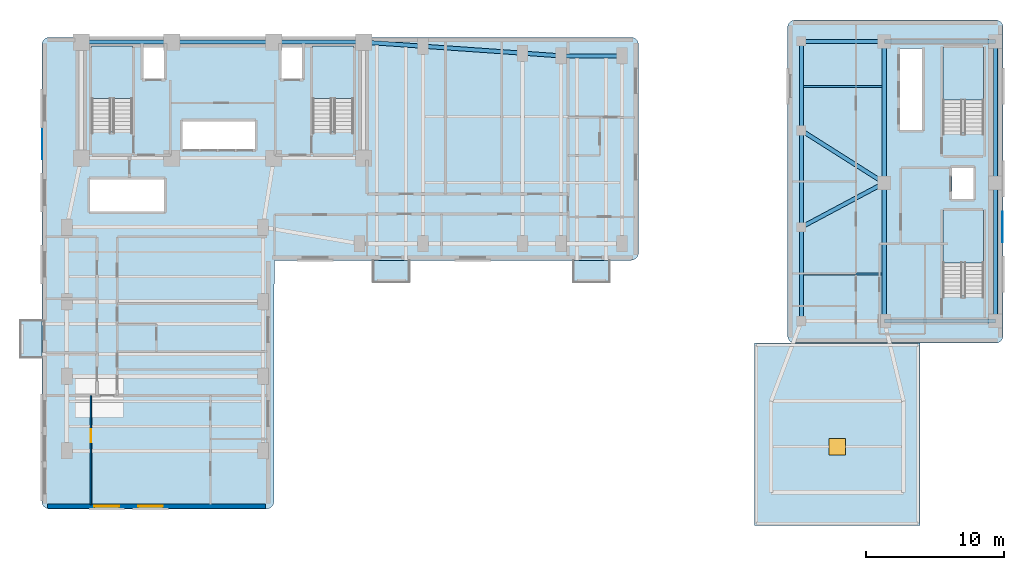
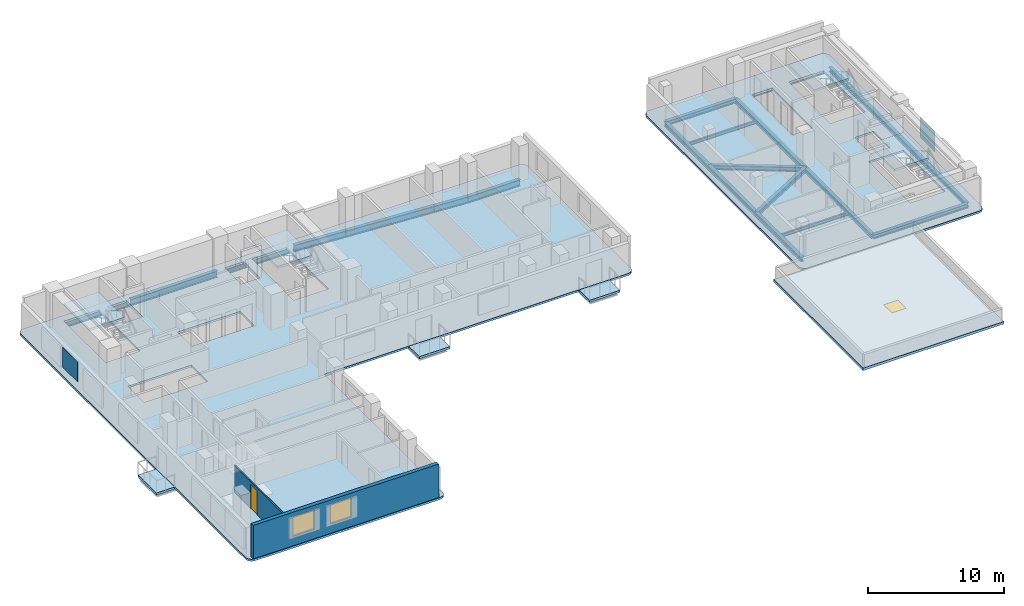
# One storey, part 2 of 11: 21 beams, 10 slabs, 3 windows, 2 plates, 2 walls, 1 door, 4 openings, 4 elements without a shape of their own.
"""IFC4 building model written with IfcOpenShell, lengths in metres."""

from ifc_helpers import new_model, si_unit, direction, frame, frame_2d, origin, origin_2d, place, context, subcontext, project, spatial, polyline, rectangle, i_section, outline, extrude, material, layer, layer_set, material_profile, profile_set, type_object, element, fill, aggregate, save


model = new_model("IFC4")

# Units and contexts
model_context = context("Model", 3, precision=1e-05, world=origin(), true_north=direction((0.0, 1.0)))
body_context = subcontext(model_context, "Body", "Model", "MODEL_VIEW")
ifc_project = project(units=[si_unit("LENGTHUNIT", "METRE"), si_unit("AREAUNIT", "SQUARE_METRE"), si_unit("VOLUMEUNIT", "CUBIC_METRE"), si_unit("PLANEANGLEUNIT", "RADIAN"), si_unit("MASSUNIT", "GRAM", prefix="KILO")], contexts=[model_context])

# Site, building, storey
site_placement = place(None, origin())
site = spatial("IfcSite", under=ifc_project, at=site_placement, CompositionType="ELEMENT")
building_placement = place(site_placement, origin())
building = spatial("IfcBuilding", under=site, at=building_placement, Name="Kuzgunbayir Cultural Tower", CompositionType="ELEMENT")
storey_placement = place(building_placement, frame((0.0, 0.0, 86.60009765625)))
storey = spatial("IfcBuildingStorey", under=building, at=storey_placement, Name="L24", CompositionType="ELEMENT", Elevation=86.60009765625)

# Beams
ifc_material_1 = material(Name="Steel S355J2", Category="steel")
ifc_material_profile_1 = material_profile(ifc_material_1, i_section(OverallWidth=0.300048828125, OverallDepth=0.39990234375, WebThickness=0.013427734375, FlangeThickness=0.02392578125, FilletRadius=0.027099609375, at=origin_2d()), Name="HEB 400")
ifc_profile_set_1 = profile_set([ifc_material_profile_1], Name="Steel S355J2")
beam_type_1 = type_object("IfcBeamType", Name="BM-EXT-HEB400", PredefinedType="BEAM", material=ifc_profile_set_1)
beam_1_placement = place(storey_placement, frame((58.60009765625, 22.0, -0.380126953125), z_axis=(0.0, 1.0, 0.0), x_axis=(-1.0, 0.0, 0.0)))
element("IfcBeam", 1, at=beam_1_placement, inside=storey, type_object=beam_type_1, Name="L24 Companion West Girder", PredefinedType="BEAM", context=body_context, shape_type="SweptSolid", body=[
    extrude(i_section(OverallWidth=0.300048828125, OverallDepth=0.39990234375, WebThickness=0.013427734375, FlangeThickness=0.02392578125, FilletRadius=0.027099609375, at=origin_2d()), origin(), (0.0, 0.0, 1.0), 6.800048828125),
])
beam_2_placement = place(storey_placement, frame((58.60009765625, 28.800048828125, -0.380126953125), z_axis=(0.0, 1.0, 0.0), x_axis=(-1.0, 0.0, 0.0)))
element("IfcBeam", 2, at=beam_2_placement, inside=storey, type_object=beam_type_1, Name="L24 Companion West Girder", PredefinedType="BEAM", context=body_context, shape_type="SweptSolid", body=[
    extrude(i_section(OverallWidth=0.300048828125, OverallDepth=0.39990234375, WebThickness=0.013427734375, FlangeThickness=0.02392578125, FilletRadius=0.027099609375, at=origin_2d()), origin(), (0.0, 0.0, 1.0), 7.0),
])
beam_3_placement = place(storey_placement, frame((58.60009765625, 35.800048828125, -0.380126953125), z_axis=(0.0, 1.0, 0.0), x_axis=(-1.0, 0.0, 0.0)))
element("IfcBeam", 3, at=beam_3_placement, inside=storey, type_object=beam_type_1, Name="L24 Companion West Girder", PredefinedType="BEAM", context=body_context, shape_type="SweptSolid", body=[
    extrude(i_section(OverallWidth=0.300048828125, OverallDepth=0.39990234375, WebThickness=0.013427734375, FlangeThickness=0.02392578125, FilletRadius=0.027099609375, at=origin_2d()), origin(), (0.0, 0.0, 1.0), 6.449951171875),
])
ifc_material_profile_2 = material_profile(ifc_material_1, i_section(OverallWidth=0.300048828125, OverallDepth=0.60009765625, WebThickness=0.015380859375, FlangeThickness=0.030029296875, FilletRadius=0.027099609375, at=origin_2d()), Name="HEB 600")
ifc_profile_set_2 = profile_set([ifc_material_profile_2], Name="Steel S355J2")
beam_type_2 = type_object("IfcBeamType", Name="BM-EXT-HEB600", PredefinedType="BEAM", material=ifc_profile_set_2)
beam_4_placement = place(storey_placement, frame((26.89990234375, 42.199951171875, -0.47998046875), z_axis=(0.997574369175, -0.069608749203, 0.0), x_axis=(0.069608749203, 0.997574369175, 0.0)))
element("IfcBeam", 4, at=beam_4_placement, inside=storey, type_object=beam_type_2, Name="L24 Wing B North Girder 1", PredefinedType="BEAM", context=body_context, shape_type="SweptSolid", body=[
    extrude(i_section(OverallWidth=0.300048828125, OverallDepth=0.60009765625, WebThickness=0.015380859375, FlangeThickness=0.030029296875, FilletRadius=0.027099609375, at=origin_2d()), origin(), (0.0, 0.0, 1.0), 4.310546875),
])
beam_5_placement = place(storey_placement, frame((31.199951171875, 41.89990234375, -0.47998046875), z_axis=(0.997597388498, -0.069278066245, 0.0), x_axis=(0.069278066245, 0.997597388498, 0.0)))
element("IfcBeam", 5, at=beam_5_placement, inside=storey, type_object=beam_type_2, Name="L24 Wing B North Girder 2", PredefinedType="BEAM", context=body_context, shape_type="SweptSolid", body=[
    extrude(i_section(OverallWidth=0.300048828125, OverallDepth=0.60009765625, WebThickness=0.015380859375, FlangeThickness=0.030029296875, FilletRadius=0.027099609375, at=origin_2d()), origin(), (0.0, 0.0, 1.0), 7.21728515625),
])
beam_6_placement = place(storey_placement, frame((38.39990234375, 41.39990234375, -0.47998046875), z_axis=(0.997460024076, -0.071228508128, 0.0), x_axis=(0.071228508128, 0.997460024076, 0.0)))
element("IfcBeam", 6, at=beam_6_placement, inside=storey, type_object=beam_type_2, Name="L24 Wing B North Girder 3", PredefinedType="BEAM", context=body_context, shape_type="SweptSolid", body=[
    extrude(i_section(OverallWidth=0.300048828125, OverallDepth=0.60009765625, WebThickness=0.015380859375, FlangeThickness=0.030029296875, FilletRadius=0.027099609375, at=origin_2d()), origin(), (0.0, 0.0, 1.0), 2.80712890625),
])
beam_7_placement = place(storey_placement, frame((41.199951171875, 41.199951171875, -0.47998046875), z_axis=(1.0, 0.0, 0.0), x_axis=(0.0, 1.0, 0.0)))
element("IfcBeam", 7, at=beam_7_placement, inside=storey, type_object=beam_type_2, Name="L24 Wing B North Girder 4", PredefinedType="BEAM", context=body_context, shape_type="SweptSolid", body=[
    extrude(i_section(OverallWidth=0.300048828125, OverallDepth=0.60009765625, WebThickness=0.015380859375, FlangeThickness=0.030029296875, FilletRadius=0.027099609375, at=origin_2d()), origin(), (0.0, 0.0, 1.0), 4.400146484375),
])
ifc_material_profile_3 = material_profile(ifc_material_1, i_section(OverallWidth=0.300048828125, OverallDepth=0.39990234375, WebThickness=0.013427734375, FlangeThickness=0.02392578125, FilletRadius=0.027099609375, at=origin_2d()), Name="HEB 400")
ifc_profile_set_3 = profile_set([ifc_material_profile_3], Name="Steel S355J2")
beam_type_3 = type_object("IfcBeamType", Name="BM-GIR-HEB400", PredefinedType="BEAM", material=ifc_profile_set_3)
beam_8_placement = place(storey_placement, frame((58.60009765625, 28.800048828125, -0.380126953125), z_axis=(0.882355922736, 0.470582644828, 0.0), x_axis=(-0.470582644828, 0.882355922736, 0.0)))
element("IfcBeam", 8, at=beam_8_placement, inside=storey, type_object=beam_type_3, Name="L24 Companion Transverse Girder 2", PredefinedType="BEAM", context=body_context, shape_type="SweptSolid", body=[
    extrude(i_section(OverallWidth=0.300048828125, OverallDepth=0.39990234375, WebThickness=0.013427734375, FlangeThickness=0.02392578125, FilletRadius=0.027099609375, at=origin_2d()), origin(), (0.0, 0.0, 1.0), 6.800048828125),
])
beam_9_placement = place(storey_placement, frame((58.60009765625, 35.800048828125, -0.380126953125), z_axis=(0.844815967829, -0.535056988088, 0.0), x_axis=(0.535056988088, 0.844815967829, 0.0)))
element("IfcBeam", 9, at=beam_9_placement, inside=storey, type_object=beam_type_3, Name="L24 Companion Transverse Girder 3", PredefinedType="BEAM", context=body_context, shape_type="SweptSolid", body=[
    extrude(i_section(OverallWidth=0.300048828125, OverallDepth=0.39990234375, WebThickness=0.013427734375, FlangeThickness=0.02392578125, FilletRadius=0.027099609375, at=origin_2d()), origin(), (0.0, 0.0, 1.0), 7.10205078125),
])
beam_10_placement = place(storey_placement, frame((58.60009765625, 42.25, -0.380126953125), z_axis=(1.0, 0.0, 0.0), x_axis=(0.0, 1.0, 0.0)))
element("IfcBeam", 10, at=beam_10_placement, inside=storey, type_object=beam_type_3, Name="L24 Companion Transverse Girder 4", PredefinedType="BEAM", context=body_context, shape_type="SweptSolid", body=[
    extrude(i_section(OverallWidth=0.300048828125, OverallDepth=0.39990234375, WebThickness=0.013427734375, FlangeThickness=0.02392578125, FilletRadius=0.027099609375, at=origin_2d()), origin(), (0.0, 0.0, 1.0), 6.0),
])
beam_11_placement = place(storey_placement, frame((64.60009765625, 22.0, -0.380126953125), z_axis=(0.0, 1.0, 0.0), x_axis=(-1.0, 0.0, 0.0)))
element("IfcBeam", 11, at=beam_11_placement, inside=storey, type_object=beam_type_3, Name="L24 Companion Core West Girder 1", PredefinedType="BEAM", context=body_context, shape_type="SweptSolid", body=[
    extrude(i_section(OverallWidth=0.300048828125, OverallDepth=0.39990234375, WebThickness=0.013427734375, FlangeThickness=0.02392578125, FilletRadius=0.027099609375, at=origin_2d()), origin(), (0.0, 0.0, 1.0), 10.0),
])
beam_12_placement = place(storey_placement, frame((64.60009765625, 32.0, -0.380126953125), z_axis=(0.0, 1.0, 0.0), x_axis=(-1.0, 0.0, 0.0)))
element("IfcBeam", 12, at=beam_12_placement, inside=storey, type_object=beam_type_3, Name="L24 Companion Core West Girder 2", PredefinedType="BEAM", context=body_context, shape_type="SweptSolid", body=[
    extrude(i_section(OverallWidth=0.300048828125, OverallDepth=0.39990234375, WebThickness=0.013427734375, FlangeThickness=0.02392578125, FilletRadius=0.027099609375, at=origin_2d()), origin(), (0.0, 0.0, 1.0), 10.25),
])
beam_13_placement = place(storey_placement, frame((72.64990234375, 22.0, -0.380126953125), z_axis=(0.0, 1.0, 0.0), x_axis=(-1.0, 0.0, 0.0)))
element("IfcBeam", 13, at=beam_13_placement, inside=storey, type_object=beam_type_3, Name="L24 Companion Core East Girder 1", PredefinedType="BEAM", context=body_context, shape_type="SweptSolid", body=[
    extrude(i_section(OverallWidth=0.300048828125, OverallDepth=0.39990234375, WebThickness=0.013427734375, FlangeThickness=0.02392578125, FilletRadius=0.027099609375, at=origin_2d()), origin(), (0.0, 0.0, 1.0), 10.0),
])
beam_14_placement = place(storey_placement, frame((72.64990234375, 32.0, -0.380126953125), z_axis=(0.0, 1.0, 0.0), x_axis=(-1.0, 0.0, 0.0)))
element("IfcBeam", 14, at=beam_14_placement, inside=storey, type_object=beam_type_3, Name="L24 Companion Core East Girder 2", PredefinedType="BEAM", context=body_context, shape_type="SweptSolid", body=[
    extrude(i_section(OverallWidth=0.300048828125, OverallDepth=0.39990234375, WebThickness=0.013427734375, FlangeThickness=0.02392578125, FilletRadius=0.027099609375, at=origin_2d()), origin(), (0.0, 0.0, 1.0), 10.25),
])
for number, where, z_axis, x_axis, name in (
    (15, (64.60009765625, 22.0, -0.380126953125), (1.0, 0.0, 0.0), (0.0, 1.0, 0.0), "L24 Companion Core South Girder"),
    (16, (64.60009765625, 42.25, -0.380126953125), (1.0, 0.0, 0.0), (0.0, 1.0, 0.0), "L24 Companion Core North Girder"),
):
    element("IfcBeam", number, at=place(storey_placement, frame(where, z_axis=z_axis, x_axis=x_axis)), inside=storey, type_object=beam_type_3, Name=name, PredefinedType="BEAM", context=body_context, shape_type="SweptSolid", body=[
        extrude(i_section(OverallWidth=0.300048828125, OverallDepth=0.39990234375, WebThickness=0.013427734375, FlangeThickness=0.02392578125, FilletRadius=0.027099609375, at=origin_2d()), origin(), (0.0, 0.0, 1.0), 8.0498046875),
    ])
ifc_material_profile_4 = material_profile(ifc_material_1, i_section(OverallWidth=0.300048828125, OverallDepth=0.60009765625, WebThickness=0.015380859375, FlangeThickness=0.030029296875, FilletRadius=0.027099609375, at=origin_2d()), Name="HEB 600")
ifc_profile_set_4 = profile_set([ifc_material_profile_4], Name="Steel S355J2")
beam_type_4 = type_object("IfcBeamType", Name="BM-GIR-HEB600", PredefinedType="BEAM", material=ifc_profile_set_4)
beam_15_placement = place(storey_placement, frame((6.449951171875, 42.199951171875, -0.47998046875), z_axis=(1.0, 0.0, 0.0), x_axis=(0.0, 1.0, 0.0)))
element("IfcBeam", 17, at=beam_15_placement, inside=storey, type_object=beam_type_4, Name="L24 Core North Girder 1", PredefinedType="BEAM", context=body_context, shape_type="SweptSolid", body=[
    extrude(i_section(OverallWidth=0.300048828125, OverallDepth=0.60009765625, WebThickness=0.015380859375, FlangeThickness=0.030029296875, FilletRadius=0.027099609375, at=origin_2d()), origin(), (0.0, 0.0, 1.0), 6.550048828125),
])
beam_16_placement = place(storey_placement, frame((13.0, 42.199951171875, -0.47998046875), z_axis=(1.0, 0.0, 0.0), x_axis=(0.0, 1.0, 0.0)))
element("IfcBeam", 18, at=beam_16_placement, inside=storey, type_object=beam_type_4, Name="L24 Core North Girder 2", PredefinedType="BEAM", context=body_context, shape_type="SweptSolid", body=[
    extrude(i_section(OverallWidth=0.300048828125, OverallDepth=0.60009765625, WebThickness=0.015380859375, FlangeThickness=0.030029296875, FilletRadius=0.027099609375, at=origin_2d()), origin(), (0.0, 0.0, 1.0), 7.39990234375),
])
beam_17_placement = place(storey_placement, frame((20.39990234375, 42.199951171875, -0.47998046875), z_axis=(1.0, 0.0, 0.0), x_axis=(0.0, 1.0, 0.0)))
element("IfcBeam", 19, at=beam_17_placement, inside=storey, type_object=beam_type_4, Name="L24 Core North Girder 3", PredefinedType="BEAM", context=body_context, shape_type="SweptSolid", body=[
    extrude(i_section(OverallWidth=0.300048828125, OverallDepth=0.60009765625, WebThickness=0.015380859375, FlangeThickness=0.030029296875, FilletRadius=0.027099609375, at=origin_2d()), origin(), (0.0, 0.0, 1.0), 6.5),
])
ifc_material_profile_5 = material_profile(ifc_material_1, i_section(OverallWidth=0.14990234375, OverallDepth=0.300048828125, WebThickness=0.007080078125, FlangeThickness=0.0107421875, FilletRadius=0.014892578125, at=origin_2d()), Name="IPE 300")
ifc_profile_set_5 = profile_set([ifc_material_profile_5], Name="Steel S355J2")
beam_type_5 = type_object("IfcBeamType", Name="BM-JST-IPE300", PredefinedType="JOIST", material=ifc_profile_set_5)
for number, where, z_axis, x_axis, name in (
    (20, (58.75, 25.39990234375, -0.330078125), (1.0, 0.0, 0.0), (0.0, 1.0, 0.0), "L24 Companion Joist"),
    (21, (58.75, 39.0, -0.330078125), (1.0, 0.0, 0.0), (0.0, 1.0, 0.0), "L24 Companion Joist"),
):
    element("IfcBeam", number, at=place(storey_placement, frame(where, z_axis=z_axis, x_axis=x_axis)), inside=storey, type_object=beam_type_5, Name=name, PredefinedType="JOIST", context=body_context, shape_type="SweptSolid", body=[
        extrude(i_section(OverallWidth=0.14990234375, OverallDepth=0.300048828125, WebThickness=0.007080078125, FlangeThickness=0.0107421875, FilletRadius=0.014892578125, at=origin_2d()), origin(), (0.0, 0.0, 1.0), 5.699951171875),
    ])

# Plates
ifc_material_2 = material(Name="Perforated Bronze-Anodised Aluminium", Category="aluminium")
ifc_layer_1 = layer(ifc_material_2, 0.02392578125)
ifc_layer_set_1 = layer_set([ifc_layer_1], Name="Perforated Bronze-Anodised Aluminium")
plate_type = type_object("IfcPlateType", Name="PLT-SOLAR-SCREEN-14", PredefinedType="SHEET", material=ifc_layer_set_1)
for number, where, z_axis, x_axis, name in (
    (22, (3.6298828125, 34.800048828125, 0.75), (0.0, 0.0, 1.0), (1.0, 0.0, 0.0), "L24 Tower 1 Perforated Ceramic Solar Screen Panel"),
    (23, (73.159912109375, 28.800048828125, 0.75), (0.0, 0.0, 1.0), (1.0, 0.0, 0.0), "L24 Companion Perforated Ceramic Solar Screen Panel"),
):
    element("IfcPlate", number, at=place(storey_placement, frame(where, z_axis=z_axis, x_axis=x_axis)), inside=storey, type_object=plate_type, Name=name, PredefinedType="SHEET", context=body_context, shape_type="SweptSolid", body=[
        extrude(rectangle(XDim=0.02392578125, YDim=2.199951171875, at=origin_2d()), origin(), (0.0, 0.0, 1.0), 1.800048828125),
    ])

# Slabs
ifc_material_3 = material(Name="Concrete C40/50", Category="concrete")
ifc_layer_2 = layer(ifc_material_3, 0.199951171875)
ifc_layer_set_2 = layer_set([ifc_layer_2], Name="Concrete C40/50")
slab_type_1 = type_object("IfcSlabType", Name="SLB-BAL-STONE", PredefinedType="FLOOR", material=ifc_layer_set_2)
slab_1_placement = place(storey_placement, frame((0.0, 0.0, -0.2001953125)))
element("IfcSlab", 24, at=slab_1_placement, inside=storey, type_object=slab_type_1, Name="L24 Projecting Limestone Balcony BAL-L24-WA2", PredefinedType="FLOOR", context=body_context, shape_type="SweptSolid", body=[
    extrude(outline(polyline([(2.0400390625, 19.35009765625), (3.60009765625, 19.35009765625), (3.60009765625, 22.050048828125), (2.0400390625, 22.050048828125), (2.0400390625, 19.35009765625)])), origin(), (0.0, 0.0, 1.0), 0.2001953125),
])
slab_2_placement = place(storey_placement, frame((0.0, 0.0, -0.2001953125)))
element("IfcSlab", 25, at=slab_2_placement, inside=storey, type_object=slab_type_1, Name="L24 Projecting Limestone Balcony BAL-L24-WB1", PredefinedType="FLOOR", context=body_context, shape_type="SweptSolid", body=[
    extrude(outline(polyline([(27.60009765625, 24.840087890625), (30.199951171875, 24.840087890625), (30.199951171875, 26.39990234375), (27.60009765625, 26.39990234375), (27.60009765625, 24.840087890625)])), origin(), (0.0, 0.0, 1.0), 0.2001953125),
])
slab_3_placement = place(storey_placement, frame((0.0, 0.0, -0.2001953125)))
element("IfcSlab", 26, at=slab_3_placement, inside=storey, type_object=slab_type_1, Name="L24 Projecting Limestone Balcony BAL-L24-WB3", PredefinedType="FLOOR", context=body_context, shape_type="SweptSolid", body=[
    extrude(outline(polyline([(42.10009765625, 24.840087890625), (44.699951171875, 24.840087890625), (44.699951171875, 26.39990234375), (42.10009765625, 26.39990234375), (42.10009765625, 24.840087890625)])), origin(), (0.0, 0.0, 1.0), 0.2001953125),
])

# Stair, slab
stair_type = type_object("IfcStairType", Name="STR-EXIT-CORE", PredefinedType="HALF_TURN_STAIR", material=ifc_material_3)
stair_1_placement = place(storey_placement, origin())
stair_1 = element("IfcStair", 27, at=stair_1_placement, inside=storey, type_object=stair_type, Name="L24 ST-1", PredefinedType="HALF_TURN_STAIR")
ifc_layer_3 = layer(ifc_material_3, 0.179931640625)
ifc_layer_set_3 = layer_set([ifc_layer_3], Name="Concrete C40/50")
slab_type_2 = type_object("IfcSlabType", Name="SLB-LANDING-180", PredefinedType="LANDING", material=ifc_layer_set_3)
slab_4_placement = place(storey_placement, frame((0.0, 0.0, 1.39990234375)))
slab_4 = element("IfcSlab", 28, at=slab_4_placement, type_object=slab_type_2, Name="ST-1 landing 1", PredefinedType="LANDING", context=body_context, shape_type="SweptSolid", body=[
    extrude(outline(polyline([(10.159912109375, 38.1201171875), (10.159912109375, 41.89990234375), (7.199951171875, 41.89990234375), (7.199951171875, 38.1201171875), (10.159912109375, 38.1201171875)])), origin(), (0.0, 0.0, 1.0), 0.199951171875),
])
aggregate(stair_1, [slab_4])

stair_2_placement = place(storey_placement, origin())
stair_2 = element("IfcStair", 29, at=stair_2_placement, inside=storey, type_object=stair_type, Name="L24 ST-2", PredefinedType="HALF_TURN_STAIR")
slab_5_placement = place(storey_placement, frame((0.0, 0.0, 1.39990234375)))
slab_5 = element("IfcSlab", 30, at=slab_5_placement, type_object=slab_type_2, Name="ST-2 landing 1", PredefinedType="LANDING", context=body_context, shape_type="SweptSolid", body=[
    extrude(outline(polyline([(26.159912109375, 38.1201171875), (26.159912109375, 41.89990234375), (23.199951171875, 41.89990234375), (23.199951171875, 38.1201171875), (26.159912109375, 38.1201171875)])), origin(), (0.0, 0.0, 1.0), 0.199951171875),
])
aggregate(stair_2, [slab_5])

stair_3_placement = place(storey_placement, origin())
stair_3 = element("IfcStair", 31, at=stair_3_placement, inside=storey, type_object=stair_type, Name="L24 ST-3", PredefinedType="HALF_TURN_STAIR")
slab_6_placement = place(storey_placement, frame((0.0, 0.0, 1.39990234375)))
slab_6 = element("IfcSlab", 32, at=slab_6_placement, type_object=slab_type_2, Name="ST-3 landing 1", PredefinedType="LANDING", context=body_context, shape_type="SweptSolid", body=[
    extrude(outline(polyline([(71.800048828125, 26.219970703125), (71.800048828125, 30.0), (68.840087890625, 30.0), (68.840087890625, 26.219970703125), (71.800048828125, 26.219970703125)])), origin(), (0.0, 0.0, 1.0), 0.199951171875),
])
aggregate(stair_3, [slab_6])

stair_4_placement = place(storey_placement, origin())
stair_4 = element("IfcStair", 33, at=stair_4_placement, inside=storey, type_object=stair_type, Name="L24 ST-4", PredefinedType="HALF_TURN_STAIR")
slab_7_placement = place(storey_placement, frame((0.0, 0.0, 1.39990234375)))
slab_7 = element("IfcSlab", 34, at=slab_7_placement, type_object=slab_type_2, Name="ST-4 landing 1", PredefinedType="LANDING", context=body_context, shape_type="SweptSolid", body=[
    extrude(outline(polyline([(71.800048828125, 38.02001953125), (71.800048828125, 41.800048828125), (68.840087890625, 41.800048828125), (68.840087890625, 38.02001953125), (71.800048828125, 38.02001953125)])), origin(), (0.0, 0.0, 1.0), 0.199951171875),
])
aggregate(stair_4, [slab_7])

# Slab, opening, window
ifc_layer_4 = layer(ifc_material_3, 0.219970703125)
ifc_layer_set_4 = layer_set([ifc_layer_4], Name="Concrete C40/50")
slab_type_3 = type_object("IfcSlabType", Name="SLB-ROOF-COMP-220", PredefinedType="ROOF", material=ifc_layer_set_4)
slab_8_placement = place(storey_placement, frame((0.0, 0.0, -0.22021484375)))
slab_8 = element("IfcSlab", 35, at=slab_8_placement, inside=storey, type_object=slab_type_3, Name="Companion Tower 2 Wing B Setback Roof Deck", PredefinedType="ROOF", context=body_context, shape_type="SweptSolid", body=[
    extrude(outline(polyline([(55.199951171875, 7.199951171875), (67.199951171875, 7.199951171875), (67.199951171875, 20.39990234375), (55.199951171875, 20.39990234375), (55.199951171875, 7.199951171875)])), origin(), (0.0, 0.0, 1.0), 0.22021484375),
])
opening_1_placement = place(slab_8_placement, frame((61.199951171875, 12.89990234375, 0.0)))
opening_1 = element("IfcOpeningElement", 36, at=opening_1_placement, cuts=slab_8, Name="Opening RH-12", PredefinedType="OPENING", context=body_context, shape_type="SweptSolid", body=[
    extrude(rectangle(XDim=1.199951171875, YDim=1.199951171875, at=origin_2d()), origin(), (0.0, 0.0, 1.0), 0.22021484375),
])
ifc_material_4 = material(Name="Solar-Control Triple Glazing", Category="glass")
window_type_1 = type_object("IfcWindowType", Name="WIN-HATCH-5", PartitioningType="SINGLE_PANEL", PredefinedType="SKYLIGHT", material=ifc_material_4)
window_1_placement = place(opening_1_placement, frame((0.0, 0.0, 0.170166015625)))
window_1 = element("IfcWindow", 37, at=window_1_placement, inside=storey, type_object=window_type_1, Name="L24 Maintenance Roof Access Hatch 1", OverallHeight=1.199951171875, OverallWidth=1.199951171875, PartitioningType="SINGLE_PANEL", PredefinedType="SKYLIGHT", context=body_context, shape_type="SweptSolid", body=[
    extrude(rectangle(XDim=1.199951171875, YDim=1.199951171875, at=origin_2d()), origin(), (0.0, 0.0, 1.0), 0.050048828125),
])
fill(opening_1, window_1)

# Slabs
ifc_layer_5 = layer(ifc_material_3, 0.179931640625)
ifc_layer_set_5 = layer_set([ifc_layer_5], Name="Concrete C40/50")
slab_type_4 = type_object("IfcSlabType", Name="SLB-TYP-180", PredefinedType="FLOOR", material=ifc_layer_set_5)
slab_9_placement = place(storey_placement, frame((0.0, 0.0, -0.18017578125)))
element("IfcSlab", 38, at=slab_9_placement, inside=storey, type_object=slab_type_4, Name="L24 Tower 1 Floor Slab T1-MAIN", PredefinedType="FLOOR", context=body_context, shape_type="SweptSolid", body=[
    extrude(outline(polyline([(20.39990234375, 8.949951171875), (20.389892578125, 8.840087890625), (20.360107421875, 8.739990234375), (20.31005859375, 8.639892578125), (20.239990234375, 8.56005859375), (20.159912109375, 8.489990234375), (20.06005859375, 8.43994140625), (19.9599609375, 8.409912109375), (19.85009765625, 8.39990234375), (4.14990234375, 8.39990234375), (4.0400390625, 8.409912109375), (3.93994140625, 8.43994140625), (3.840087890625, 8.489990234375), (3.760009765625, 8.56005859375), (3.68994140625, 8.639892578125), (3.639892578125, 8.739990234375), (3.610107421875, 8.840087890625), (3.60009765625, 8.949951171875), (3.60009765625, 42.0), (3.610107421875, 42.110107421875), (3.639892578125, 42.2099609375), (3.68994140625, 42.31005859375), (3.760009765625, 42.389892578125), (3.840087890625, 42.4599609375), (3.93994140625, 42.510009765625), (4.0400390625, 42.5400390625), (4.14990234375, 42.550048828125), (46.25, 42.550048828125), (46.360107421875, 42.5400390625), (46.4599609375, 42.510009765625), (46.56005859375, 42.4599609375), (46.639892578125, 42.389892578125), (46.7099609375, 42.31005859375), (46.760009765625, 42.2099609375), (46.7900390625, 42.110107421875), (46.800048828125, 42.0), (46.800048828125, 26.949951171875), (46.7900390625, 26.840087890625), (46.760009765625, 26.739990234375), (46.7099609375, 26.639892578125), (46.639892578125, 26.56005859375), (46.56005859375, 26.489990234375), (46.4599609375, 26.43994140625), (46.360107421875, 26.409912109375), (46.25, 26.39990234375), (20.429931640625, 26.39990234375), (20.39990234375, 8.949951171875)]), holes=[polyline([(7.199951171875, 35.760009765625), (7.199951171875, 41.89990234375), (10.159912109375, 41.89990234375), (10.159912109375, 35.760009765625), (7.199951171875, 35.760009765625)]), polyline([(23.199951171875, 35.760009765625), (23.199951171875, 41.89990234375), (26.159912109375, 41.89990234375), (26.159912109375, 35.760009765625), (23.199951171875, 35.760009765625)]), polyline([(13.75, 34.39990234375), (13.75, 36.5), (19.080078125, 36.5), (19.080078125, 34.39990234375), (13.75, 34.39990234375)]), polyline([(7.10009765625, 29.89990234375), (7.10009765625, 32.300048828125), (12.5, 32.300048828125), (12.5, 29.89990234375), (7.10009765625, 29.89990234375)]), polyline([(10.89990234375, 39.5), (10.89990234375, 41.89990234375), (12.5, 41.89990234375), (12.5, 39.5), (10.89990234375, 39.5)]), polyline([(20.89990234375, 39.5), (20.89990234375, 41.89990234375), (22.5, 41.89990234375), (22.5, 39.5), (20.89990234375, 39.5)])]), origin(), (0.0, 0.0, 1.0), 0.18017578125),
])
slab_10_placement = place(storey_placement, frame((0.0, 0.0, -0.18017578125)))
element("IfcSlab", 39, at=slab_10_placement, inside=storey, type_object=slab_type_4, Name="L24 Companion Tower 2 Floor Slab", PredefinedType="FLOOR", context=body_context, shape_type="SweptSolid", body=[
    extrude(outline(polyline([(72.64990234375, 20.39990234375), (72.760009765625, 20.409912109375), (72.860107421875, 20.43994140625), (72.9599609375, 20.489990234375), (73.0400390625, 20.56005859375), (73.110107421875, 20.639892578125), (73.159912109375, 20.739990234375), (73.18994140625, 20.840087890625), (73.199951171875, 20.949951171875), (73.199951171875, 43.25), (73.18994140625, 43.360107421875), (73.159912109375, 43.4599609375), (73.110107421875, 43.56005859375), (73.0400390625, 43.639892578125), (72.9599609375, 43.7099609375), (72.860107421875, 43.760009765625), (72.760009765625, 43.7900390625), (72.64990234375, 43.800048828125), (58.14990234375, 43.800048828125), (58.0400390625, 43.7900390625), (57.93994140625, 43.760009765625), (57.840087890625, 43.7099609375), (57.760009765625, 43.639892578125), (57.68994140625, 43.56005859375), (57.639892578125, 43.4599609375), (57.610107421875, 43.360107421875), (57.60009765625, 43.25), (57.60009765625, 20.949951171875), (57.610107421875, 20.840087890625), (57.639892578125, 20.739990234375), (57.68994140625, 20.639892578125), (57.760009765625, 20.56005859375), (57.840087890625, 20.489990234375), (57.93994140625, 20.43994140625), (58.0400390625, 20.409912109375), (58.14990234375, 20.39990234375), (72.64990234375, 20.39990234375)]), holes=[polyline([(68.840087890625, 23.860107421875), (68.840087890625, 30.0), (71.800048828125, 30.0), (71.800048828125, 23.860107421875), (68.840087890625, 23.860107421875)]), polyline([(68.840087890625, 35.659912109375), (68.840087890625, 41.800048828125), (71.800048828125, 41.800048828125), (71.800048828125, 35.659912109375), (68.840087890625, 35.659912109375)]), polyline([(65.699951171875, 35.800048828125), (65.699951171875, 41.75), (67.39990234375, 41.75), (67.39990234375, 35.800048828125), (65.699951171875, 35.800048828125)]), polyline([(69.5, 30.800048828125), (69.5, 33.199951171875), (71.10009765625, 33.199951171875), (71.10009765625, 30.800048828125), (69.5, 30.800048828125)])]), origin(), (0.0, 0.0, 1.0), 0.18017578125),
])

# Wall, openings, windows
ifc_material_5 = material(Name="Travertine Buff Ashlar", Category="masonry")
ifc_layer_6 = layer(ifc_material_5, 0.320068359375)
ifc_layer_set_6 = layer_set([ifc_layer_6], Name="Travertine Buff Ashlar")
wall_type_1 = type_object("IfcWallType", Name="WAL-EXT-STONE-320", PredefinedType="STANDARD", material=ifc_layer_set_6)
wall_1_placement = place(storey_placement, frame((4.0, 8.60009765625, 0.0), z_axis=(0.0, 0.0, 1.0), x_axis=(1.0, 0.0, 0.0)))
wall_1 = element("IfcWall", 40, at=wall_1_placement, inside=storey, type_object=wall_type_1, Name="L24 Wing A South Limestone Wall", PredefinedType="STANDARD", context=body_context, shape_type="SweptSolid", body=[
    extrude(rectangle(XDim=15.800048828125, YDim=0.320068359375, at=frame_2d((7.89990234375, 0.0))), origin(), (0.0, 0.0, 1.0), 3.02001953125),
])
opening_2_placement = place(wall_1_placement, frame((6.570068359375, 0.0, 0.85009765625)))
opening_2 = element("IfcOpeningElement", 41, at=opening_2_placement, cuts=wall_1, Name="Opening WH-18", PredefinedType="OPENING", context=body_context, shape_type="SweptSolid", body=[
    extrude(rectangle(XDim=1.800048828125, YDim=1.75, at=frame_2d((0.89990234375, 0.875))), frame((0.0, 0.169921875, 0.0), z_axis=(0.0, -1.0, 0.0), x_axis=(1.0, 0.0, 0.0)), (0.0, 0.0, 1.0), 0.340087890625),
])
opening_3_placement = place(wall_1_placement, frame((3.39990234375, 0.0, 0.85009765625)))
opening_3 = element("IfcOpeningElement", 42, at=opening_3_placement, cuts=wall_1, Name="Opening WH-18", PredefinedType="OPENING", context=body_context, shape_type="SweptSolid", body=[
    extrude(rectangle(XDim=1.800048828125, YDim=1.75, at=frame_2d((0.89990234375, 0.875))), frame((0.0, 0.169921875, 0.0), z_axis=(0.0, -1.0, 0.0), x_axis=(1.0, 0.0, 0.0)), (0.0, 0.0, 1.0), 0.340087890625),
])
window_type_2 = type_object("IfcWindowType", Name="WIN-HOTEL-18", PartitioningType="SINGLE_PANEL", PredefinedType="WINDOW", material=ifc_material_4)
window_2_placement = place(opening_2_placement, origin())
window_2 = element("IfcWindow", 43, at=window_2_placement, inside=storey, type_object=window_type_2, Name="L24 WAS Facade Window 2", OverallHeight=1.75, OverallWidth=1.800048828125, PartitioningType="SINGLE_PANEL", PredefinedType="WINDOW", context=body_context, shape_type="SweptSolid", body=[
    extrude(rectangle(XDim=1.800048828125, YDim=1.75, at=frame_2d((0.89990234375, 0.875))), frame((0.0, 0.030029296875, 0.0), z_axis=(0.0, -1.0, 0.0), x_axis=(1.0, 0.0, 0.0)), (0.0, 0.0, 1.0), 0.06005859375),
])
fill(opening_2, window_2)
window_3_placement = place(opening_3_placement, origin())
window_3 = element("IfcWindow", 44, at=window_3_placement, inside=storey, type_object=window_type_2, Name="L24 WAS Facade Window 12", OverallHeight=1.75, OverallWidth=1.800048828125, PartitioningType="SINGLE_PANEL", PredefinedType="WINDOW", context=body_context, shape_type="SweptSolid", body=[
    extrude(rectangle(XDim=1.800048828125, YDim=1.75, at=frame_2d((0.89990234375, 0.875))), frame((0.0, 0.030029296875, 0.0), z_axis=(0.0, -1.0, 0.0), x_axis=(1.0, 0.0, 0.0)), (0.0, 0.0, 1.0), 0.06005859375),
])
fill(opening_3, window_3)

# Wall, opening, door
ifc_material_6 = material(Name="Framed Gypsum Partition", Category="gypsum")
ifc_layer_7 = layer(ifc_material_6, 0.1201171875)
ifc_layer_set_7 = layer_set([ifc_layer_7], Name="Framed Gypsum Partition")
wall_type_2 = type_object("IfcWallType", Name="WAL-PART-INT-120", PredefinedType="PARTITIONING", material=ifc_layer_set_7)
wall_2_placement = place(storey_placement, frame((7.14990234375, 8.699951171875, 0.0), z_axis=(0.0, 0.0, 1.0), x_axis=(0.0, 1.0, 0.0)))
wall_2 = element("IfcWall", 45, at=wall_2_placement, inside=storey, type_object=wall_type_2, Name="L24 Diplomatic Suite Bedroom Wall", PredefinedType="PARTITIONING", context=body_context, shape_type="SweptSolid", body=[
    extrude(rectangle(XDim=7.900146484375, YDim=0.1201171875, at=frame_2d((3.9501953125, 0.0))), origin(), (0.0, 0.0, 1.0), 2.39990234375),
])
opening_4_placement = place(wall_2_placement, frame((4.52001953125, 0.0, 0.0)))
opening_4 = element("IfcOpeningElement", 46, at=opening_4_placement, cuts=wall_2, Name="Opening DI-90", PredefinedType="OPENING", context=body_context, shape_type="SweptSolid", body=[
    extrude(rectangle(XDim=0.949951171875, YDim=2.14990234375, at=frame_2d((0.47509765625, 1.074951171875))), frame((0.0, 0.070068359375, 0.0), z_axis=(0.0, -1.0, 0.0), x_axis=(1.0, 0.0, 0.0)), (0.0, 0.0, 1.0), 0.14013671875),
])
ifc_material_7 = material(Name="Veneered Oak Single Leaf", Category="wood")
door_type = type_object("IfcDoorType", Name="DR-INT-90", OperationType="NOTDEFINED", PredefinedType="DOOR", material=ifc_material_7)
door_placement = place(opening_4_placement, origin())
door = element("IfcDoor", 47, at=door_placement, inside=storey, type_object=door_type, Name="L24 Diplomatic Bedroom Door", OperationType="SINGLE_SWING_RIGHT", OverallHeight=2.14990234375, OverallWidth=0.949951171875, PredefinedType="DOOR", context=body_context, shape_type="SweptSolid", body=[
    extrude(rectangle(XDim=0.949951171875, YDim=2.14990234375, at=frame_2d((0.47509765625, 1.074951171875))), frame((0.0, 0.02490234375, 0.0), z_axis=(0.0, -1.0, 0.0), x_axis=(1.0, 0.0, 0.0)), (0.0, 0.0, 1.0), 0.050048828125),
])
fill(opening_4, door)

save(model, "model.ifc")
